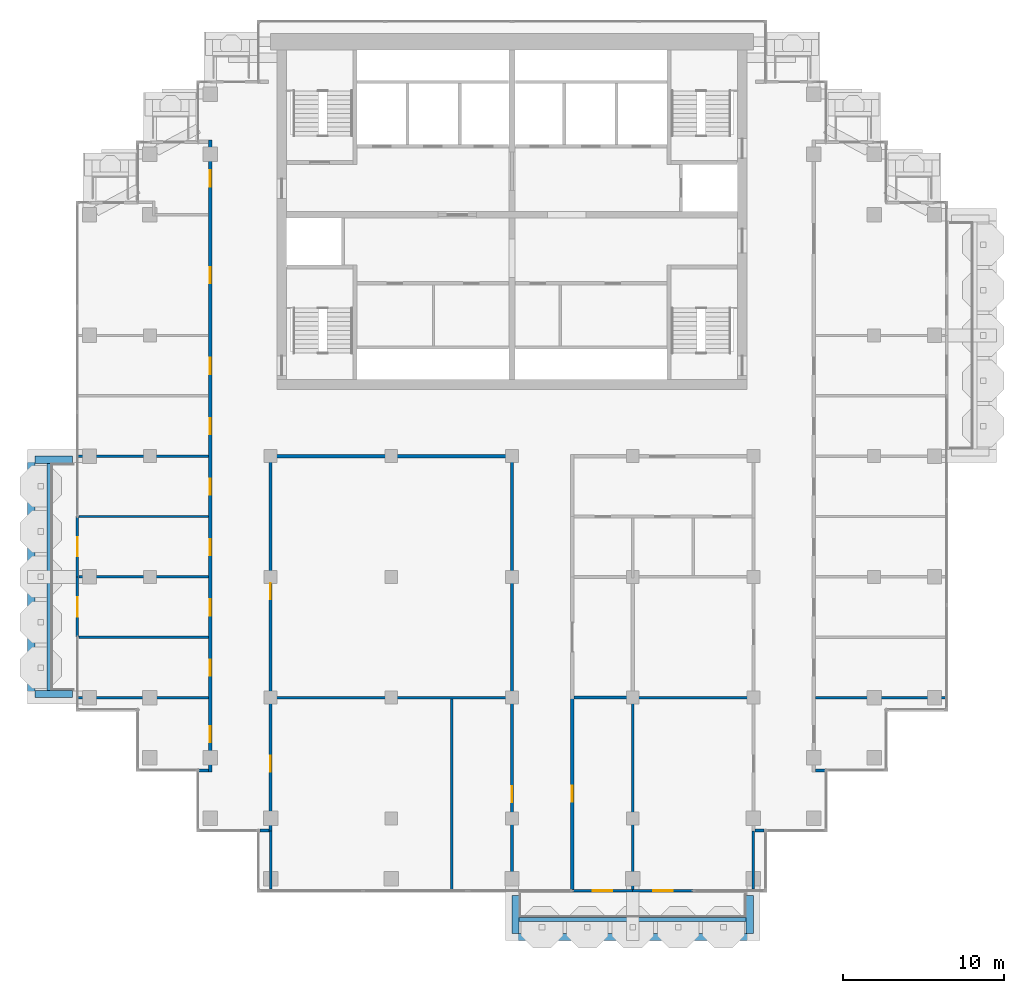
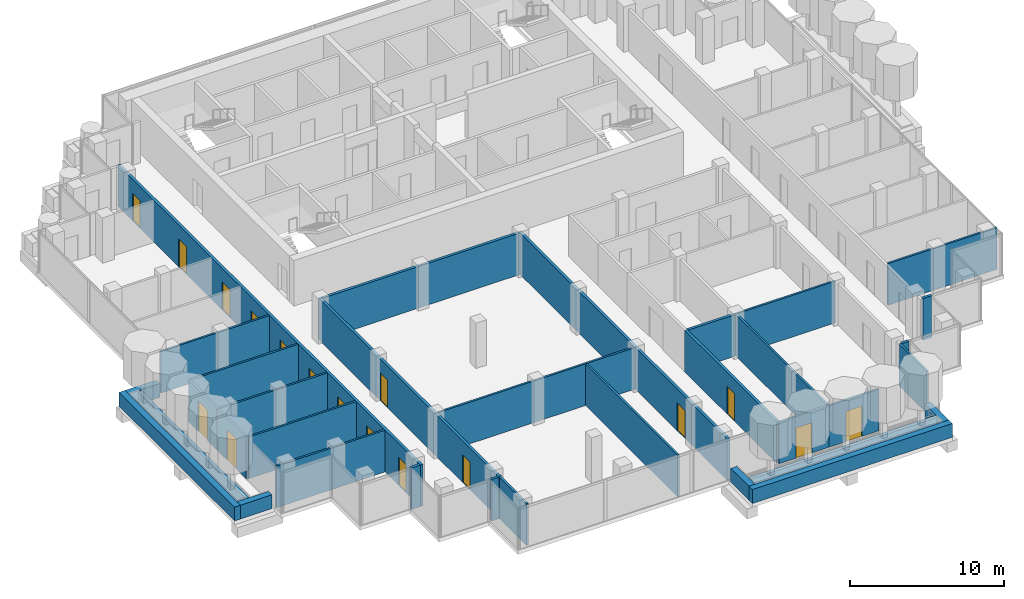
# One storey, part 11 of 19: 34 walls, 17 doors, 17 openings.
"""IFC4 building model written with IfcOpenShell, lengths in metres."""

from ifc_helpers import new_model, si_unit, direction, frame, frame_2d, origin, place, context, subcontext, project, spatial, rectangle, extrude, material, layer, layer_set, type_object, element, fill, save


model = new_model("IFC4")

# Units and contexts
model_context = context("Model", 3, precision=1e-05, world=origin(), true_north=direction((0.0, 1.0)))
body_context = subcontext(model_context, "Body", "Model", "MODEL_VIEW")
ifc_project = project(units=[si_unit("LENGTHUNIT", "METRE"), si_unit("AREAUNIT", "SQUARE_METRE"), si_unit("VOLUMEUNIT", "CUBIC_METRE"), si_unit("PLANEANGLEUNIT", "RADIAN"), si_unit("MASSUNIT", "GRAM", prefix="KILO")], contexts=[model_context])

# Site, building, storey
site_placement = place(None, origin())
site = spatial("IfcSite", under=ifc_project, at=site_placement, CompositionType="ELEMENT")
building_placement = place(site_placement, origin())
building = spatial("IfcBuilding", under=site, at=building_placement, Name="Pilkhan Gate Tower", CompositionType="ELEMENT")
storey_placement = place(building_placement, frame((0.0, 0.0, 239.10009765625)))
storey = spatial("IfcBuildingStorey", under=building, at=storey_placement, Name="L62", CompositionType="ELEMENT", Elevation=239.10009765625)

# Walls
ifc_material_1 = material(Name="Concrete C40/50", Category="concrete")
ifc_layer_1 = layer(ifc_material_1, 0.25)
ifc_layer_set_1 = layer_set([ifc_layer_1], Name="Balcony planter BP250")
wall_type_1 = type_object("IfcWallType", Name="Balcony planter BP250", PredefinedType="USERDEFINED", material=ifc_layer_set_1)
for number, where, z_axis, x_axis, name in (
    (1, (75.449951171875, 38.72509765625, 0.0), (0.0, 0.0, 1.0), (1.0, 0.0, 0.0), "Balcony planter L62 S"),
    (2, (46.22509765625, 52.949951171875, 0.0), (0.0, 0.0, 1.0), (0.0, 1.0, 0.0), "Balcony planter L62 W"),
):
    element("IfcWall", number, at=place(storey_placement, frame(where, z_axis=z_axis, x_axis=x_axis)), inside=storey, type_object=wall_type_1, Name=name, ObjectType="BALCONY PLANTER", PredefinedType="USERDEFINED", context=body_context, shape_type="SweptSolid", body=[
        extrude(rectangle(XDim=14.10009765625, YDim=0.25, at=frame_2d((7.050048828125, 0.0))), origin(), (0.0, 0.0, 1.0), 1.0),
    ])
ifc_material_2 = material(Name="Board-marked Concrete C40/50", Category="concrete")
ifc_layer_2 = layer(ifc_material_2, 0.449951171875)
ifc_layer_set_2 = layer_set([ifc_layer_2], Name="Balcony planter lip BL450")
wall_type_2 = type_object("IfcWallType", Name="Balcony planter lip BL450", PredefinedType="USERDEFINED", material=ifc_layer_set_2)
wall_1_placement = place(storey_placement, frame((75.0, 37.625, 0.0), z_axis=(0.0, 0.0, 1.0), x_axis=(1.0, 0.0, 0.0)))
element("IfcWall", 3, at=wall_1_placement, inside=storey, type_object=wall_type_2, Name="Balcony planter L62 S", ObjectType="BALCONY PLANTER", PredefinedType="USERDEFINED", context=body_context, shape_type="SweptSolid", body=[
    extrude(rectangle(XDim=15.0, YDim=0.449951171875, at=frame_2d((7.5, 0.0))), origin(), (0.0, 0.0, 1.0), 1.099853515625),
])
for number, where, z_axis, x_axis, name in (
    (4, (75.22509765625, 40.199951171875, 0.0), (0.0, 0.0, 1.0), (0.0, -1.0, 0.0), "Balcony planter L62 S"),
    (5, (89.77490234375, 40.199951171875, 0.0), (0.0, 0.0, 1.0), (0.0, -1.0, 0.0), "Balcony planter L62 S"),
):
    element("IfcWall", number, at=place(storey_placement, frame(where, z_axis=z_axis, x_axis=x_axis)), inside=storey, type_object=wall_type_2, Name=name, ObjectType="BALCONY PLANTER", PredefinedType="USERDEFINED", context=body_context, shape_type="SweptSolid", body=[
        extrude(rectangle(XDim=2.349853515625, YDim=0.449951171875, at=frame_2d((1.1748046875, 0.0))), origin(), (0.0, 0.0, 1.0), 1.099853515625),
    ])
wall_2_placement = place(storey_placement, frame((45.125, 52.5, 0.0), z_axis=(0.0, 0.0, 1.0), x_axis=(0.0, 1.0, 0.0)))
element("IfcWall", 6, at=wall_2_placement, inside=storey, type_object=wall_type_2, Name="Balcony planter L62 W", ObjectType="BALCONY PLANTER", PredefinedType="USERDEFINED", context=body_context, shape_type="SweptSolid", body=[
    extrude(rectangle(XDim=15.0, YDim=0.449951171875, at=frame_2d((7.5, 0.0))), origin(), (0.0, 0.0, 1.0), 1.099853515625),
])
for number, where, z_axis, x_axis, name in (
    (7, (47.699951171875, 52.72509765625, 0.0), (0.0, 0.0, 1.0), (-1.0, 0.0, 0.0), "Balcony planter L62 W"),
    (8, (47.699951171875, 67.27490234375, 0.0), (0.0, 0.0, 1.0), (-1.0, 0.0, 0.0), "Balcony planter L62 W"),
):
    element("IfcWall", number, at=place(storey_placement, frame(where, z_axis=z_axis, x_axis=x_axis)), inside=storey, type_object=wall_type_2, Name=name, ObjectType="BALCONY PLANTER", PredefinedType="USERDEFINED", context=body_context, shape_type="SweptSolid", body=[
        extrude(rectangle(XDim=2.349853515625, YDim=0.449951171875, at=frame_2d((1.1748046875, 0.0))), origin(), (0.0, 0.0, 1.0), 1.099853515625),
    ])
ifc_material_3 = material(Name="Dense blockwork", Category="masonry")
ifc_layer_3 = layer(ifc_material_3, 0.199951171875)
ifc_layer_set_3 = layer_set([ifc_layer_3], Name="Corridor wall FW200")
wall_type_3 = type_object("IfcWallType", Name="Corridor wall FW200", PredefinedType="PARTITIONING", material=ifc_layer_set_3)
for number, where, z_axis, x_axis, name in (
    (9, (59.35498046875, 44.235107421875, 0.0), (0.0, 0.0, 1.0), (1.0, 0.0, 0.0), "Partition L62"),
    (10, (90.10009765625, 44.235107421875, 0.0), (0.0, 0.0, 1.0), (1.0, 0.0, 0.0), "Partition L62"),
):
    element("IfcWall", number, at=place(storey_placement, frame(where, z_axis=z_axis, x_axis=x_axis)), inside=storey, type_object=wall_type_3, Name=name, PredefinedType="PARTITIONING", context=body_context, shape_type="SweptSolid", body=[
        extrude(rectangle(XDim=0.544921875, YDim=0.199951171875, at=frame_2d((0.2724609375, 0.0))), origin(), (0.0, 0.0, 1.0), 3.2998046875),
    ])
for number, where, z_axis, x_axis, name in (
    (11, (55.485107421875, 47.969970703125, 0.0), (0.0, 0.0, 1.0), (1.0, 0.0, 0.0), "Partition L62"),
    (12, (93.85009765625, 47.969970703125, 0.0), (0.0, 0.0, 1.0), (1.0, 0.0, 0.0), "Partition L62"),
):
    element("IfcWall", number, at=place(storey_placement, frame(where, z_axis=z_axis, x_axis=x_axis)), inside=storey, type_object=wall_type_3, Name=name, PredefinedType="PARTITIONING", context=body_context, shape_type="SweptSolid", body=[
        extrude(rectangle(XDim=0.664794921875, YDim=0.199951171875, at=frame_2d((0.33251953125, 0.0))), origin(), (0.0, 0.0, 1.0), 3.2998046875),
    ])
wall_3_placement = place(storey_placement, frame((60.10009765625, 67.5, 0.0), z_axis=(0.0, 0.0, 1.0), x_axis=(1.0, 0.0, 0.0)))
element("IfcWall", 13, at=wall_3_placement, inside=storey, type_object=wall_type_3, Name="Partition L62", PredefinedType="PARTITIONING", context=body_context, shape_type="SweptSolid", body=[
    extrude(rectangle(XDim=14.7998046875, YDim=0.199951171875, at=frame_2d((7.39990234375, 0.0))), origin(), (0.0, 0.0, 1.0), 3.2998046875),
])

# Wall, openings, doors
wall_4_placement = place(storey_placement, frame((56.25, 47.8701171875, 0.0), z_axis=(0.0, 0.0, 1.0), x_axis=(0.0, 1.0, 0.0)))
wall_4 = element("IfcWall", 14, at=wall_4_placement, inside=storey, type_object=wall_type_3, Name="Partition L62", PredefinedType="PARTITIONING", context=body_context, shape_type="SweptSolid", body=[
    extrude(rectangle(XDim=39.259765625, YDim=0.199951171875, at=frame_2d((19.6298828125, 0.0))), origin(), (0.0, 0.0, 1.0), 3.2998046875),
])
opening_1_placement = place(wall_4_placement, frame((1.85009765625, 0.0, 0.0)))
opening_1 = element("IfcOpeningElement", 15, at=opening_1_placement, cuts=wall_4, Name="Opening L62-23", PredefinedType="OPENING", context=body_context, shape_type="SweptSolid", body=[
    extrude(rectangle(XDim=1.0, YDim=2.199951171875, at=frame_2d((0.5, 1.10009765625))), frame((0.0, 0.10986328125, 0.0), z_axis=(0.0, -1.0, 0.0), x_axis=(1.0, 0.0, 0.0)), (0.0, 0.0, 1.0), 0.219970703125),
])
opening_2_placement = place(wall_4_placement, frame((5.97998046875, 0.0, 0.0)))
opening_2 = element("IfcOpeningElement", 16, at=opening_2_placement, cuts=wall_4, Name="Opening L62-24", PredefinedType="OPENING", context=body_context, shape_type="SweptSolid", body=[
    extrude(rectangle(XDim=1.0, YDim=2.199951171875, at=frame_2d((0.5, 1.10009765625))), frame((0.0, 0.10986328125, 0.0), z_axis=(0.0, -1.0, 0.0), x_axis=(1.0, 0.0, 0.0)), (0.0, 0.0, 1.0), 0.219970703125),
])
opening_3_placement = place(wall_4_placement, frame((9.72998046875, 0.0, 0.0)))
opening_3 = element("IfcOpeningElement", 17, at=opening_3_placement, cuts=wall_4, Name="Opening L62-25", PredefinedType="OPENING", context=body_context, shape_type="SweptSolid", body=[
    extrude(rectangle(XDim=1.0, YDim=2.199951171875, at=frame_2d((0.5, 1.10009765625))), frame((0.0, 0.10986328125, 0.0), z_axis=(0.0, -1.0, 0.0), x_axis=(1.0, 0.0, 0.0)), (0.0, 0.0, 1.0), 0.219970703125),
])
opening_4_placement = place(wall_4_placement, frame((13.47998046875, 0.0, 0.0)))
opening_4 = element("IfcOpeningElement", 18, at=opening_4_placement, cuts=wall_4, Name="Opening L62-26", PredefinedType="OPENING", context=body_context, shape_type="SweptSolid", body=[
    extrude(rectangle(XDim=1.0, YDim=2.199951171875, at=frame_2d((0.5, 1.10009765625))), frame((0.0, 0.10986328125, 0.0), z_axis=(0.0, -1.0, 0.0), x_axis=(1.0, 0.0, 0.0)), (0.0, 0.0, 1.0), 0.219970703125),
])
opening_5_placement = place(wall_4_placement, frame((17.22998046875, 0.0, 0.0)))
opening_5 = element("IfcOpeningElement", 19, at=opening_5_placement, cuts=wall_4, Name="Opening L62-27", PredefinedType="OPENING", context=body_context, shape_type="SweptSolid", body=[
    extrude(rectangle(XDim=1.0, YDim=2.199951171875, at=frame_2d((0.5, 1.10009765625))), frame((0.0, 0.10986328125, 0.0), z_axis=(0.0, -1.0, 0.0), x_axis=(1.0, 0.0, 0.0)), (0.0, 0.0, 1.0), 0.219970703125),
])
opening_6_placement = place(wall_4_placement, frame((20.97998046875, 0.0, 0.0)))
opening_6 = element("IfcOpeningElement", 20, at=opening_6_placement, cuts=wall_4, Name="Opening L62-28", PredefinedType="OPENING", context=body_context, shape_type="SweptSolid", body=[
    extrude(rectangle(XDim=1.0, YDim=2.199951171875, at=frame_2d((0.5, 1.10009765625))), frame((0.0, 0.10986328125, 0.0), z_axis=(0.0, -1.0, 0.0), x_axis=(1.0, 0.0, 0.0)), (0.0, 0.0, 1.0), 0.219970703125),
])
opening_7_placement = place(wall_4_placement, frame((24.72998046875, 0.0, 0.0)))
opening_7 = element("IfcOpeningElement", 21, at=opening_7_placement, cuts=wall_4, Name="Opening L62-29", PredefinedType="OPENING", context=body_context, shape_type="SweptSolid", body=[
    extrude(rectangle(XDim=1.0, YDim=2.199951171875, at=frame_2d((0.5, 1.10009765625))), frame((0.0, 0.10986328125, 0.0), z_axis=(0.0, -1.0, 0.0), x_axis=(1.0, 0.0, 0.0)), (0.0, 0.0, 1.0), 0.219970703125),
])
opening_8_placement = place(wall_4_placement, frame((30.3798828125, 0.0, 0.0)))
opening_8 = element("IfcOpeningElement", 22, at=opening_8_placement, cuts=wall_4, Name="Opening L62-37", PredefinedType="OPENING", context=body_context, shape_type="SweptSolid", body=[
    extrude(rectangle(XDim=1.0, YDim=2.199951171875, at=frame_2d((0.5, 1.10009765625))), frame((0.0, 0.10986328125, 0.0), z_axis=(0.0, -1.0, 0.0), x_axis=(1.0, 0.0, 0.0)), (0.0, 0.0, 1.0), 0.219970703125),
])
opening_9_placement = place(wall_4_placement, frame((36.3798828125, 0.0, 0.0)))
opening_9 = element("IfcOpeningElement", 23, at=opening_9_placement, cuts=wall_4, Name="Opening L62-38", PredefinedType="OPENING", context=body_context, shape_type="SweptSolid", body=[
    extrude(rectangle(XDim=1.0, YDim=2.199951171875, at=frame_2d((0.5, 1.10009765625))), frame((0.0, 0.10986328125, 0.0), z_axis=(0.0, -1.0, 0.0), x_axis=(1.0, 0.0, 0.0)), (0.0, 0.0, 1.0), 0.219970703125),
])
ifc_material_4 = material(Name="Timber flush door, 30 minute fire resisting", Category="wood")
door_type_1 = type_object("IfcDoorType", Name="Room door D03 1000x2200", OperationType="SINGLE_SWING_LEFT", PredefinedType="DOOR", material=ifc_material_4)
door_1_placement = place(opening_1_placement, origin())
door_1 = element("IfcDoor", 24, at=door_1_placement, inside=storey, type_object=door_type_1, Name="Room door", OperationType="SINGLE_SWING_LEFT", OverallHeight=2.199951171875, OverallWidth=1.0, PredefinedType="DOOR", context=body_context, shape_type="SweptSolid", body=[
    extrude(rectangle(XDim=1.0, YDim=2.199951171875, at=frame_2d((0.5, 1.10009765625))), frame((0.0, 0.02490234375, 0.0), z_axis=(0.0, -1.0, 0.0), x_axis=(1.0, 0.0, 0.0)), (0.0, 0.0, 1.0), 0.050048828125),
])
fill(opening_1, door_1)
door_2_placement = place(opening_2_placement, origin())
door_2 = element("IfcDoor", 25, at=door_2_placement, inside=storey, type_object=door_type_1, Name="Room door", OperationType="SINGLE_SWING_LEFT", OverallHeight=2.199951171875, OverallWidth=1.0, PredefinedType="DOOR", context=body_context, shape_type="SweptSolid", body=[
    extrude(rectangle(XDim=1.0, YDim=2.199951171875, at=frame_2d((0.5, 1.10009765625))), frame((0.0, 0.02490234375, 0.0), z_axis=(0.0, -1.0, 0.0), x_axis=(1.0, 0.0, 0.0)), (0.0, 0.0, 1.0), 0.050048828125),
])
fill(opening_2, door_2)
door_3_placement = place(opening_3_placement, origin())
door_3 = element("IfcDoor", 26, at=door_3_placement, inside=storey, type_object=door_type_1, Name="Room door", OperationType="SINGLE_SWING_RIGHT", OverallHeight=2.199951171875, OverallWidth=1.0, PredefinedType="DOOR", context=body_context, shape_type="SweptSolid", body=[
    extrude(rectangle(XDim=1.0, YDim=2.199951171875, at=frame_2d((0.5, 1.10009765625))), frame((0.0, 0.02490234375, 0.0), z_axis=(0.0, -1.0, 0.0), x_axis=(1.0, 0.0, 0.0)), (0.0, 0.0, 1.0), 0.050048828125),
])
fill(opening_3, door_3)
door_4_placement = place(opening_4_placement, origin())
door_4 = element("IfcDoor", 27, at=door_4_placement, inside=storey, type_object=door_type_1, Name="Room door", OperationType="SINGLE_SWING_LEFT", OverallHeight=2.199951171875, OverallWidth=1.0, PredefinedType="DOOR", context=body_context, shape_type="SweptSolid", body=[
    extrude(rectangle(XDim=1.0, YDim=2.199951171875, at=frame_2d((0.5, 1.10009765625))), frame((0.0, 0.02490234375, 0.0), z_axis=(0.0, -1.0, 0.0), x_axis=(1.0, 0.0, 0.0)), (0.0, 0.0, 1.0), 0.050048828125),
])
fill(opening_4, door_4)
door_5_placement = place(opening_5_placement, origin())
door_5 = element("IfcDoor", 28, at=door_5_placement, inside=storey, type_object=door_type_1, Name="Room door", OperationType="SINGLE_SWING_LEFT", OverallHeight=2.199951171875, OverallWidth=1.0, PredefinedType="DOOR", context=body_context, shape_type="SweptSolid", body=[
    extrude(rectangle(XDim=1.0, YDim=2.199951171875, at=frame_2d((0.5, 1.10009765625))), frame((0.0, 0.02490234375, 0.0), z_axis=(0.0, -1.0, 0.0), x_axis=(1.0, 0.0, 0.0)), (0.0, 0.0, 1.0), 0.050048828125),
])
fill(opening_5, door_5)
door_6_placement = place(opening_6_placement, origin())
door_6 = element("IfcDoor", 29, at=door_6_placement, inside=storey, type_object=door_type_1, Name="Room door", OperationType="SINGLE_SWING_LEFT", OverallHeight=2.199951171875, OverallWidth=1.0, PredefinedType="DOOR", context=body_context, shape_type="SweptSolid", body=[
    extrude(rectangle(XDim=1.0, YDim=2.199951171875, at=frame_2d((0.5, 1.10009765625))), frame((0.0, 0.02490234375, 0.0), z_axis=(0.0, -1.0, 0.0), x_axis=(1.0, 0.0, 0.0)), (0.0, 0.0, 1.0), 0.050048828125),
])
fill(opening_6, door_6)
door_7_placement = place(opening_7_placement, origin())
door_7 = element("IfcDoor", 30, at=door_7_placement, inside=storey, type_object=door_type_1, Name="Room door", OperationType="SINGLE_SWING_RIGHT", OverallHeight=2.199951171875, OverallWidth=1.0, PredefinedType="DOOR", context=body_context, shape_type="SweptSolid", body=[
    extrude(rectangle(XDim=1.0, YDim=2.199951171875, at=frame_2d((0.5, 1.10009765625))), frame((0.0, 0.02490234375, 0.0), z_axis=(0.0, -1.0, 0.0), x_axis=(1.0, 0.0, 0.0)), (0.0, 0.0, 1.0), 0.050048828125),
])
fill(opening_7, door_7)
door_8_placement = place(opening_8_placement, origin())
door_8 = element("IfcDoor", 31, at=door_8_placement, inside=storey, type_object=door_type_1, Name="Room door", OperationType="SINGLE_SWING_LEFT", OverallHeight=2.199951171875, OverallWidth=1.0, PredefinedType="DOOR", context=body_context, shape_type="SweptSolid", body=[
    extrude(rectangle(XDim=1.0, YDim=2.199951171875, at=frame_2d((0.5, 1.10009765625))), frame((0.0, 0.02490234375, 0.0), z_axis=(0.0, -1.0, 0.0), x_axis=(1.0, 0.0, 0.0)), (0.0, 0.0, 1.0), 0.050048828125),
])
fill(opening_8, door_8)
door_9_placement = place(opening_9_placement, origin())
door_9 = element("IfcDoor", 32, at=door_9_placement, inside=storey, type_object=door_type_1, Name="Room door", OperationType="SINGLE_SWING_LEFT", OverallHeight=2.199951171875, OverallWidth=1.0, PredefinedType="DOOR", context=body_context, shape_type="SweptSolid", body=[
    extrude(rectangle(XDim=1.0, YDim=2.199951171875, at=frame_2d((0.5, 1.10009765625))), frame((0.0, 0.02490234375, 0.0), z_axis=(0.0, -1.0, 0.0), x_axis=(1.0, 0.0, 0.0)), (0.0, 0.0, 1.0), 0.050048828125),
])
fill(opening_9, door_9)

wall_5_placement = place(storey_placement, frame((60.0, 44.135009765625, 0.0), z_axis=(0.0, 0.0, 1.0), x_axis=(0.0, 1.0, 0.0)))
wall_5 = element("IfcWall", 33, at=wall_5_placement, inside=storey, type_object=wall_type_3, Name="Partition L62", PredefinedType="PARTITIONING", context=body_context, shape_type="SweptSolid", body=[
    extrude(rectangle(XDim=23.465087890625, YDim=0.199951171875, at=frame_2d((11.732421875, 0.0))), origin(), (0.0, 0.0, 1.0), 3.2998046875),
])
opening_10_placement = place(wall_5_placement, frame((3.75, 0.0, 0.0)))
opening_10 = element("IfcOpeningElement", 34, at=opening_10_placement, cuts=wall_5, Name="Opening L62-16", PredefinedType="OPENING", context=body_context, shape_type="SweptSolid", body=[
    extrude(rectangle(XDim=1.0, YDim=2.199951171875, at=frame_2d((0.5, 1.10009765625))), frame((0.0, 0.10986328125, 0.0), z_axis=(0.0, -1.0, 0.0), x_axis=(1.0, 0.0, 0.0)), (0.0, 0.0, 1.0), 0.219970703125),
])
opening_11_placement = place(wall_5_placement, frame((14.465087890625, 0.0, 0.0)))
opening_11 = element("IfcOpeningElement", 35, at=opening_11_placement, cuts=wall_5, Name="Opening L62-18", PredefinedType="OPENING", context=body_context, shape_type="SweptSolid", body=[
    extrude(rectangle(XDim=1.0, YDim=2.199951171875, at=frame_2d((0.5, 1.10009765625))), frame((0.0, 0.10986328125, 0.0), z_axis=(0.0, -1.0, 0.0), x_axis=(1.0, 0.0, 0.0)), (0.0, 0.0, 1.0), 0.219970703125),
])
door_10_placement = place(opening_10_placement, origin())
door_10 = element("IfcDoor", 36, at=door_10_placement, inside=storey, type_object=door_type_1, Name="Room door", OperationType="SINGLE_SWING_RIGHT", OverallHeight=2.199951171875, OverallWidth=1.0, PredefinedType="DOOR", context=body_context, shape_type="SweptSolid", body=[
    extrude(rectangle(XDim=1.0, YDim=2.199951171875, at=frame_2d((0.5, 1.10009765625))), frame((0.0, 0.02490234375, 0.0), z_axis=(0.0, -1.0, 0.0), x_axis=(1.0, 0.0, 0.0)), (0.0, 0.0, 1.0), 0.050048828125),
])
fill(opening_10, door_10)
door_11_placement = place(opening_11_placement, origin())
door_11 = element("IfcDoor", 37, at=door_11_placement, inside=storey, type_object=door_type_1, Name="Room door", OperationType="SINGLE_SWING_RIGHT", OverallHeight=2.199951171875, OverallWidth=1.0, PredefinedType="DOOR", context=body_context, shape_type="SweptSolid", body=[
    extrude(rectangle(XDim=1.0, YDim=2.199951171875, at=frame_2d((0.5, 1.10009765625))), frame((0.0, 0.02490234375, 0.0), z_axis=(0.0, -1.0, 0.0), x_axis=(1.0, 0.0, 0.0)), (0.0, 0.0, 1.0), 0.050048828125),
])
fill(opening_11, door_11)

# Wall, opening, door
wall_6_placement = place(storey_placement, frame((75.0, 40.485107421875, 0.0), z_axis=(0.0, 0.0, 1.0), x_axis=(0.0, 1.0, 0.0)))
wall_6 = element("IfcWall", 38, at=wall_6_placement, inside=storey, type_object=wall_type_3, Name="Partition L62", PredefinedType="PARTITIONING", context=body_context, shape_type="SweptSolid", body=[
    extrude(rectangle(XDim=27.114990234375, YDim=0.199951171875, at=frame_2d((13.5576171875, 0.0))), origin(), (0.0, 0.0, 1.0), 3.2998046875),
])
opening_12_placement = place(wall_6_placement, frame((5.5, 0.0, 0.0)))
opening_12 = element("IfcOpeningElement", 39, at=opening_12_placement, cuts=wall_6, Name="Opening L62-17", PredefinedType="OPENING", context=body_context, shape_type="SweptSolid", body=[
    extrude(rectangle(XDim=1.0, YDim=2.199951171875, at=frame_2d((0.5, 1.10009765625))), frame((0.0, 0.10986328125, 0.0), z_axis=(0.0, -1.0, 0.0), x_axis=(1.0, 0.0, 0.0)), (0.0, 0.0, 1.0), 0.219970703125),
])
door_12_placement = place(opening_12_placement, origin())
door_12 = element("IfcDoor", 40, at=door_12_placement, inside=storey, type_object=door_type_1, Name="Room door", OperationType="SINGLE_SWING_LEFT", OverallHeight=2.199951171875, OverallWidth=1.0, PredefinedType="DOOR", context=body_context, shape_type="SweptSolid", body=[
    extrude(rectangle(XDim=1.0, YDim=2.199951171875, at=frame_2d((0.5, 1.10009765625))), frame((0.0, 0.02490234375, 0.0), z_axis=(0.0, -1.0, 0.0), x_axis=(1.0, 0.0, 0.0)), (0.0, 0.0, 1.0), 0.050048828125),
])
fill(opening_12, door_12)

wall_7_placement = place(storey_placement, frame((78.75, 40.5849609375, 0.0), z_axis=(0.0, 0.0, 1.0), x_axis=(0.0, 1.0, 0.0)))
wall_7 = element("IfcWall", 41, at=wall_7_placement, inside=storey, type_object=wall_type_3, Name="Partition L62", PredefinedType="PARTITIONING", context=body_context, shape_type="SweptSolid", body=[
    extrude(rectangle(XDim=11.9150390625, YDim=0.199951171875, at=frame_2d((5.95751953125, 0.0))), origin(), (0.0, 0.0, 1.0), 3.2998046875),
])
opening_13_placement = place(wall_7_placement, frame((5.449951171875, 0.0, 0.0)))
opening_13 = element("IfcOpeningElement", 42, at=opening_13_placement, cuts=wall_7, Name="Opening L62-19", PredefinedType="OPENING", context=body_context, shape_type="SweptSolid", body=[
    extrude(rectangle(XDim=1.0, YDim=2.199951171875, at=frame_2d((0.5, 1.10009765625))), frame((0.0, 0.10986328125, 0.0), z_axis=(0.0, -1.0, 0.0), x_axis=(1.0, 0.0, 0.0)), (0.0, 0.0, 1.0), 0.219970703125),
])
door_13_placement = place(opening_13_placement, origin())
door_13 = element("IfcDoor", 43, at=door_13_placement, inside=storey, type_object=door_type_1, Name="Room door", OperationType="SINGLE_SWING_LEFT", OverallHeight=2.199951171875, OverallWidth=1.0, PredefinedType="DOOR", context=body_context, shape_type="SweptSolid", body=[
    extrude(rectangle(XDim=1.0, YDim=2.199951171875, at=frame_2d((0.5, 1.10009765625))), frame((0.0, 0.02490234375, 0.0), z_axis=(0.0, -1.0, 0.0), x_axis=(1.0, 0.0, 0.0)), (0.0, 0.0, 1.0), 0.050048828125),
])
fill(opening_13, door_13)

ifc_material_5 = material(Name="Pale anodised aluminium, clear laminated glazing", Category="aluminium")
ifc_layer_4 = layer(ifc_material_5, 0.14990234375)
ifc_layer_set_4 = layer_set([ifc_layer_4], Name="Facade infill wall IW150")
wall_type_4 = type_object("IfcWallType", Name="Facade infill wall IW150", PredefinedType="SOLIDWALL", material=ifc_layer_set_4)
wall_8_placement = place(storey_placement, frame((48.0, 56.25, 0.0), z_axis=(0.0, 0.0, 1.0), x_axis=(0.0, 1.0, 0.0)))
wall_8 = element("IfcWall", 44, at=wall_8_placement, inside=storey, type_object=wall_type_4, Name="Infill wall L62 W", PredefinedType="SOLIDWALL", context=body_context, shape_type="SweptSolid", body=[
    extrude(rectangle(XDim=3.75, YDim=0.14990234375, at=frame_2d((1.875, 0.0))), origin(), (0.0, 0.0, 1.0), 3.2998046875),
])
opening_14_placement = place(wall_8_placement, frame((1.27490234375, 0.0, 0.0)))
opening_14 = element("IfcOpeningElement", 45, at=opening_14_placement, cuts=wall_8, Name="Opening D1", PredefinedType="OPENING", context=body_context, shape_type="SweptSolid", body=[
    extrude(rectangle(XDim=1.199951171875, YDim=2.39990234375, at=frame_2d((0.60009765625, 1.199951171875))), frame((0.0, 0.0849609375, 0.0), z_axis=(0.0, -1.0, 0.0), x_axis=(1.0, 0.0, 0.0)), (0.0, 0.0, 1.0), 0.169921875),
])
ifc_material_6 = material(Name="Pale anodised aluminium, clear glazing", Category="aluminium")
door_type_2 = type_object("IfcDoorType", Name="Balcony door D1 1200x2400", OperationType="SINGLE_SWING_LEFT", PredefinedType="DOOR", material=ifc_material_6)
door_14_placement = place(opening_14_placement, origin())
door_14 = element("IfcDoor", 46, at=door_14_placement, inside=storey, type_object=door_type_2, Name="Balcony door L62", OperationType="SINGLE_SWING_LEFT", OverallHeight=2.39990234375, OverallWidth=1.199951171875, PredefinedType="DOOR", context=body_context, shape_type="SweptSolid", body=[
    extrude(rectangle(XDim=1.199951171875, YDim=2.39990234375, at=frame_2d((0.60009765625, 1.199951171875))), frame((0.0, 0.02490234375, 0.0), z_axis=(0.0, -1.0, 0.0), x_axis=(1.0, 0.0, 0.0)), (0.0, 0.0, 1.0), 0.050048828125),
])
fill(opening_14, door_14)

wall_9_placement = place(storey_placement, frame((48.0, 60.0, 0.0), z_axis=(0.0, 0.0, 1.0), x_axis=(0.0, 1.0, 0.0)))
wall_9 = element("IfcWall", 47, at=wall_9_placement, inside=storey, type_object=wall_type_4, Name="Infill wall L62 W", PredefinedType="SOLIDWALL", context=body_context, shape_type="SweptSolid", body=[
    extrude(rectangle(XDim=3.75, YDim=0.14990234375, at=frame_2d((1.875, 0.0))), origin(), (0.0, 0.0, 1.0), 3.2998046875),
])
opening_15_placement = place(wall_9_placement, frame((1.27490234375, 0.0, 0.0)))
opening_15 = element("IfcOpeningElement", 48, at=opening_15_placement, cuts=wall_9, Name="Opening D1", PredefinedType="OPENING", context=body_context, shape_type="SweptSolid", body=[
    extrude(rectangle(XDim=1.199951171875, YDim=2.39990234375, at=frame_2d((0.60009765625, 1.199951171875))), frame((0.0, 0.0849609375, 0.0), z_axis=(0.0, -1.0, 0.0), x_axis=(1.0, 0.0, 0.0)), (0.0, 0.0, 1.0), 0.169921875),
])
door_15_placement = place(opening_15_placement, origin())
door_15 = element("IfcDoor", 49, at=door_15_placement, inside=storey, type_object=door_type_2, Name="Balcony door L62", OperationType="SINGLE_SWING_LEFT", OverallHeight=2.39990234375, OverallWidth=1.199951171875, PredefinedType="DOOR", context=body_context, shape_type="SweptSolid", body=[
    extrude(rectangle(XDim=1.199951171875, YDim=2.39990234375, at=frame_2d((0.60009765625, 1.199951171875))), frame((0.0, 0.02490234375, 0.0), z_axis=(0.0, -1.0, 0.0), x_axis=(1.0, 0.0, 0.0)), (0.0, 0.0, 1.0), 0.050048828125),
])
fill(opening_15, door_15)

wall_10_placement = place(storey_placement, frame((78.75, 40.5, 0.0), z_axis=(0.0, 0.0, 1.0), x_axis=(1.0, 0.0, 0.0)))
wall_10 = element("IfcWall", 50, at=wall_10_placement, inside=storey, type_object=wall_type_4, Name="Infill wall L62 S", PredefinedType="SOLIDWALL", context=body_context, shape_type="SweptSolid", body=[
    extrude(rectangle(XDim=3.75, YDim=0.14990234375, at=frame_2d((1.875, 0.0))), origin(), (0.0, 0.0, 1.0), 3.2998046875),
])
opening_16_placement = place(wall_10_placement, frame((1.27490234375, 0.0, 0.0)))
opening_16 = element("IfcOpeningElement", 51, at=opening_16_placement, cuts=wall_10, Name="Opening D1", PredefinedType="OPENING", context=body_context, shape_type="SweptSolid", body=[
    extrude(rectangle(XDim=1.199951171875, YDim=2.39990234375, at=frame_2d((0.60009765625, 1.199951171875))), frame((0.0, 0.0849609375, 0.0), z_axis=(0.0, -1.0, 0.0), x_axis=(1.0, 0.0, 0.0)), (0.0, 0.0, 1.0), 0.169921875),
])
door_16_placement = place(opening_16_placement, origin())
door_16 = element("IfcDoor", 52, at=door_16_placement, inside=storey, type_object=door_type_2, Name="Balcony door L62", OperationType="SINGLE_SWING_LEFT", OverallHeight=2.39990234375, OverallWidth=1.199951171875, PredefinedType="DOOR", context=body_context, shape_type="SweptSolid", body=[
    extrude(rectangle(XDim=1.199951171875, YDim=2.39990234375, at=frame_2d((0.60009765625, 1.199951171875))), frame((0.0, 0.02490234375, 0.0), z_axis=(0.0, -1.0, 0.0), x_axis=(1.0, 0.0, 0.0)), (0.0, 0.0, 1.0), 0.050048828125),
])
fill(opening_16, door_16)

wall_11_placement = place(storey_placement, frame((82.5, 40.5, 0.0), z_axis=(0.0, 0.0, 1.0), x_axis=(1.0, 0.0, 0.0)))
wall_11 = element("IfcWall", 53, at=wall_11_placement, inside=storey, type_object=wall_type_4, Name="Infill wall L62 S", PredefinedType="SOLIDWALL", context=body_context, shape_type="SweptSolid", body=[
    extrude(rectangle(XDim=3.75, YDim=0.14990234375, at=frame_2d((1.875, 0.0))), origin(), (0.0, 0.0, 1.0), 3.2998046875),
])
opening_17_placement = place(wall_11_placement, frame((1.27490234375, 0.0, 0.0)))
opening_17 = element("IfcOpeningElement", 54, at=opening_17_placement, cuts=wall_11, Name="Opening D1", PredefinedType="OPENING", context=body_context, shape_type="SweptSolid", body=[
    extrude(rectangle(XDim=1.199951171875, YDim=2.39990234375, at=frame_2d((0.60009765625, 1.199951171875))), frame((0.0, 0.0849609375, 0.0), z_axis=(0.0, -1.0, 0.0), x_axis=(1.0, 0.0, 0.0)), (0.0, 0.0, 1.0), 0.169921875),
])
door_17_placement = place(opening_17_placement, origin())
door_17 = element("IfcDoor", 55, at=door_17_placement, inside=storey, type_object=door_type_2, Name="Balcony door L62", OperationType="SINGLE_SWING_LEFT", OverallHeight=2.39990234375, OverallWidth=1.199951171875, PredefinedType="DOOR", context=body_context, shape_type="SweptSolid", body=[
    extrude(rectangle(XDim=1.199951171875, YDim=2.39990234375, at=frame_2d((0.60009765625, 1.199951171875))), frame((0.0, 0.02490234375, 0.0), z_axis=(0.0, -1.0, 0.0), x_axis=(1.0, 0.0, 0.0)), (0.0, 0.0, 1.0), 0.050048828125),
])
fill(opening_17, door_17)

# Walls
ifc_layer_5 = layer(ifc_material_3, 0.199951171875)
ifc_layer_set_5 = layer_set([ifc_layer_5], Name="Lobby wall LW200")
wall_type_5 = type_object("IfcWallType", Name="Lobby wall LW200", PredefinedType="PARTITIONING", material=ifc_layer_set_5)
wall_12_placement = place(storey_placement, frame((78.85009765625, 52.5, 0.0), z_axis=(0.0, 0.0, 1.0), x_axis=(1.0, 0.0, 0.0)))
element("IfcWall", 56, at=wall_12_placement, inside=storey, type_object=wall_type_5, Name="Partition L62", PredefinedType="PARTITIONING", context=body_context, shape_type="SweptSolid", body=[
    extrude(rectangle(XDim=3.5498046875, YDim=0.199951171875, at=frame_2d((1.77490234375, 0.0))), origin(), (0.0, 0.0, 1.0), 3.2998046875),
])
ifc_material_7 = material(Name="Blockwork partition, plastered both sides", Category="masonry")
ifc_layer_6 = layer(ifc_material_7, 0.14990234375)
ifc_layer_set_6 = layer_set([ifc_layer_6], Name="Partition PW150")
wall_type_6 = type_object("IfcWallType", Name="Partition PW150", PredefinedType="PARTITIONING", material=ifc_layer_set_6)
wall_13_placement = place(storey_placement, frame((47.985107421875, 52.5, 0.0), z_axis=(0.0, 0.0, 1.0), x_axis=(1.0, 0.0, 0.0)))
element("IfcWall", 57, at=wall_13_placement, inside=storey, type_object=wall_type_6, Name="Partition L62", PredefinedType="PARTITIONING", context=body_context, shape_type="SweptSolid", body=[
    extrude(rectangle(XDim=8.164794921875, YDim=0.14990234375, at=frame_2d((4.08251953125, 0.0))), origin(), (0.0, 0.0, 1.0), 3.2998046875),
])
wall_14_placement = place(storey_placement, frame((60.10009765625, 52.5, 0.0), z_axis=(0.0, 0.0, 1.0), x_axis=(1.0, 0.0, 0.0)))
element("IfcWall", 58, at=wall_14_placement, inside=storey, type_object=wall_type_6, Name="Partition L62", PredefinedType="PARTITIONING", context=body_context, shape_type="SweptSolid", body=[
    extrude(rectangle(XDim=14.7998046875, YDim=0.14990234375, at=frame_2d((7.39990234375, 0.0))), origin(), (0.0, 0.0, 1.0), 3.2998046875),
])
wall_15_placement = place(storey_placement, frame((82.60009765625, 52.5, 0.0), z_axis=(0.0, 0.0, 1.0), x_axis=(1.0, 0.0, 0.0)))
element("IfcWall", 59, at=wall_15_placement, inside=storey, type_object=wall_type_6, Name="Partition L62", PredefinedType="PARTITIONING", context=body_context, shape_type="SweptSolid", body=[
    extrude(rectangle(XDim=7.2998046875, YDim=0.14990234375, at=frame_2d((3.64990234375, 0.0))), origin(), (0.0, 0.0, 1.0), 3.2998046875),
])
wall_16_placement = place(storey_placement, frame((93.85009765625, 52.5, 0.0), z_axis=(0.0, 0.0, 1.0), x_axis=(1.0, 0.0, 0.0)))
element("IfcWall", 60, at=wall_16_placement, inside=storey, type_object=wall_type_6, Name="Partition L62", PredefinedType="PARTITIONING", context=body_context, shape_type="SweptSolid", body=[
    extrude(rectangle(XDim=8.164794921875, YDim=0.14990234375, at=frame_2d((4.08251953125, 0.0))), origin(), (0.0, 0.0, 1.0), 3.2998046875),
])
for number, where, z_axis, x_axis, name in (
    (61, (48.0849609375, 56.25, 0.0), (0.0, 0.0, 1.0), (1.0, 0.0, 0.0), "Partition L62"),
    (62, (48.0849609375, 60.0, 0.0), (0.0, 0.0, 1.0), (1.0, 0.0, 0.0), "Partition L62"),
    (63, (48.0849609375, 63.75, 0.0), (0.0, 0.0, 1.0), (1.0, 0.0, 0.0), "Partition L62"),
):
    element("IfcWall", number, at=place(storey_placement, frame(where, z_axis=z_axis, x_axis=x_axis)), inside=storey, type_object=wall_type_6, Name=name, PredefinedType="PARTITIONING", context=body_context, shape_type="SweptSolid", body=[
        extrude(rectangle(XDim=8.06494140625, YDim=0.14990234375, at=frame_2d((4.032470703125, 0.0))), origin(), (0.0, 0.0, 1.0), 3.2998046875),
    ])
wall_17_placement = place(storey_placement, frame((47.985107421875, 67.5, 0.0), z_axis=(0.0, 0.0, 1.0), x_axis=(1.0, 0.0, 0.0)))
element("IfcWall", 64, at=wall_17_placement, inside=storey, type_object=wall_type_6, Name="Partition L62", PredefinedType="PARTITIONING", context=body_context, shape_type="SweptSolid", body=[
    extrude(rectangle(XDim=8.164794921875, YDim=0.14990234375, at=frame_2d((4.08251953125, 0.0))), origin(), (0.0, 0.0, 1.0), 3.2998046875),
])
wall_18_placement = place(storey_placement, frame((60.0, 40.60498046875, 0.0), z_axis=(0.0, 0.0, 1.0), x_axis=(0.0, 1.0, 0.0)))
element("IfcWall", 65, at=wall_18_placement, inside=storey, type_object=wall_type_6, Name="Partition L62", PredefinedType="PARTITIONING", context=body_context, shape_type="SweptSolid", body=[
    extrude(rectangle(XDim=3.60009765625, YDim=0.14990234375, at=frame_2d((1.800048828125, 0.0))), origin(), (0.0, 0.0, 1.0), 3.2998046875),
])
wall_19_placement = place(storey_placement, frame((71.25, 40.485107421875, 0.0), z_axis=(0.0, 0.0, 1.0), x_axis=(0.0, 1.0, 0.0)))
element("IfcWall", 66, at=wall_19_placement, inside=storey, type_object=wall_type_6, Name="Partition L62", PredefinedType="PARTITIONING", context=body_context, shape_type="SweptSolid", body=[
    extrude(rectangle(XDim=11.93994140625, YDim=0.14990234375, at=frame_2d((5.969970703125, 0.0))), origin(), (0.0, 0.0, 1.0), 3.2998046875),
])
wall_20_placement = place(storey_placement, frame((82.5, 40.5849609375, 0.0), z_axis=(0.0, 0.0, 1.0), x_axis=(0.0, 1.0, 0.0)))
element("IfcWall", 67, at=wall_20_placement, inside=storey, type_object=wall_type_6, Name="Partition L62", PredefinedType="PARTITIONING", context=body_context, shape_type="SweptSolid", body=[
    extrude(rectangle(XDim=11.989990234375, YDim=0.14990234375, at=frame_2d((5.9951171875, 0.0))), origin(), (0.0, 0.0, 1.0), 3.2998046875),
])
wall_21_placement = place(storey_placement, frame((90.0, 40.60498046875, 0.0), z_axis=(0.0, 0.0, 1.0), x_axis=(0.0, 1.0, 0.0)))
element("IfcWall", 68, at=wall_21_placement, inside=storey, type_object=wall_type_6, Name="Partition L62", PredefinedType="PARTITIONING", context=body_context, shape_type="SweptSolid", body=[
    extrude(rectangle(XDim=3.60009765625, YDim=0.14990234375, at=frame_2d((1.800048828125, 0.0))), origin(), (0.0, 0.0, 1.0), 3.2998046875),
])

save(model, "model.ifc")
